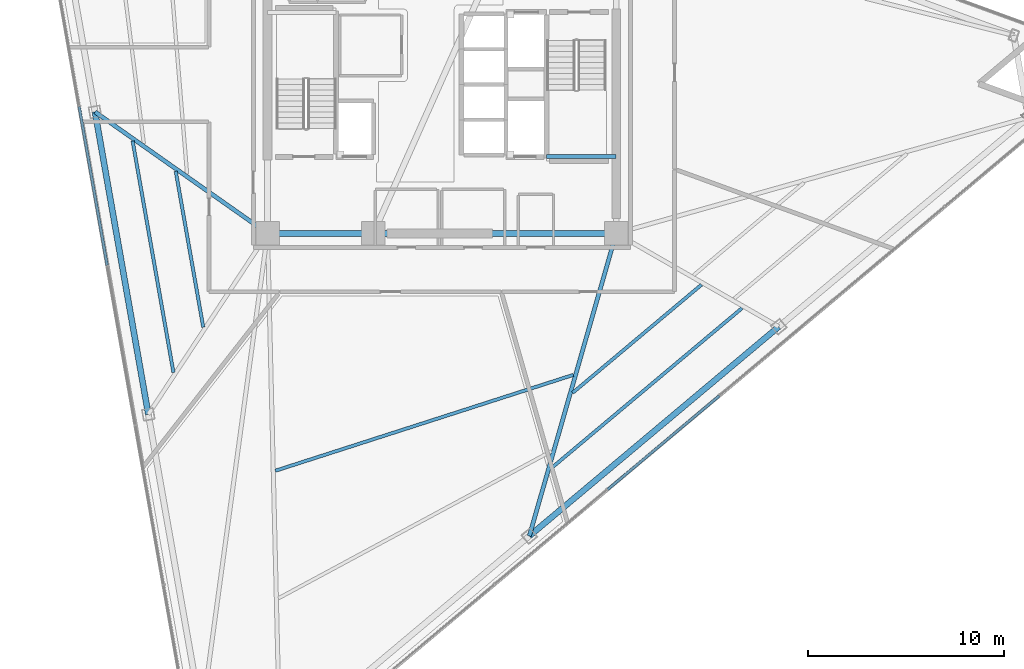
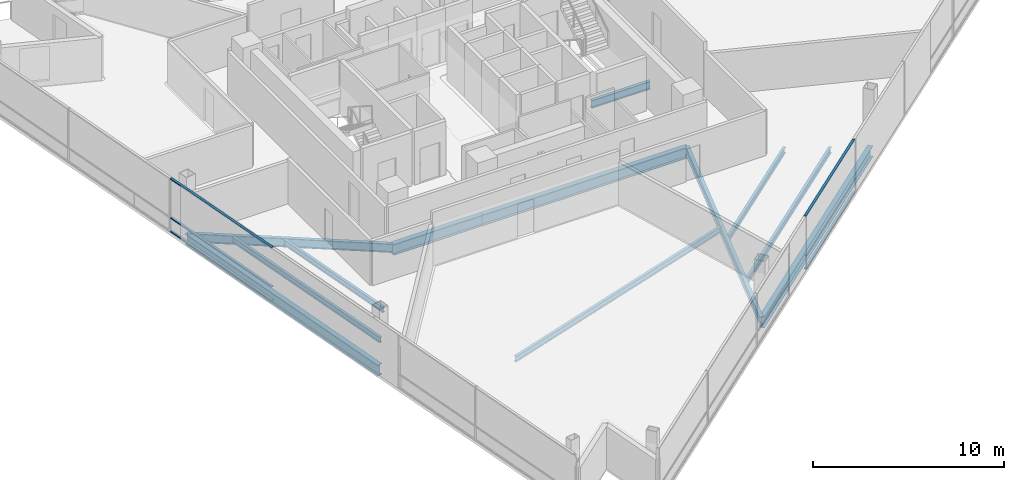
# One storey, part 3 of 16: 12 beams, 6 members, 2 elements without a shape of their own.
"""IFC4 building model written with IfcOpenShell, lengths in metres."""

from ifc_helpers import new_model, si_unit, direction, frame, origin, origin_2d, place, context, subcontext, project, spatial, rectangle, i_section, extrude, material, layer, layer_set, material_profile, profile_set, type_object, element, aggregate, save


model = new_model("IFC4")

# Units and contexts
model_context = context("Model", 3, precision=1e-05, world=origin(), true_north=direction((0.0, 1.0)))
body_context = subcontext(model_context, "Body", "Model", "MODEL_VIEW")
ifc_project = project(units=[si_unit("LENGTHUNIT", "METRE"), si_unit("AREAUNIT", "SQUARE_METRE"), si_unit("VOLUMEUNIT", "CUBIC_METRE"), si_unit("PLANEANGLEUNIT", "RADIAN"), si_unit("MASSUNIT", "GRAM", prefix="KILO")], contexts=[model_context])

# Site, building, storey
site_placement = place(None, origin())
site = spatial("IfcSite", under=ifc_project, at=site_placement, CompositionType="ELEMENT")
building_placement = place(site_placement, origin())
building = spatial("IfcBuilding", under=site, at=building_placement, Name="Tharavind Bronze Gate", CompositionType="ELEMENT")
storey_placement = place(building_placement, frame((0.0, 0.0, 188.5)))
storey = spatial("IfcBuildingStorey", under=building, at=storey_placement, Name="L48", CompositionType="ELEMENT", Elevation=188.5)

# Curtain wall, members
ifc_material_1 = material(Name="Anodised Bronze Aluminium", Category="aluminium")
ifc_layer = layer(ifc_material_1, 0.219970703125)
ifc_layer_set = layer_set([ifc_layer], Name="Anodised Bronze Aluminium")
curtain_wall_type = type_object("IfcCurtainWallType", Name="UNITISED CURTAIN WALL MID OFFICE", PredefinedType="USERDEFINED", material=ifc_layer_set)
curtain_wall_1_placement = place(storey_placement, origin())
curtain_wall_1 = element("IfcCurtainWall", 1, at=curtain_wall_1_placement, inside=storey, type_object=curtain_wall_type, Name="L48 unitised curtain wall mid office CW-L48-S1", ObjectType="UNITISED CURTAIN WALL", PredefinedType="USERDEFINED")
member_type = type_object("IfcMemberType", Name="CURTAIN WALL BRONZE TRANSOM 65X140", PredefinedType="USERDEFINED", material=ifc_material_1)
member_1_placement = place(storey_placement, frame((-17.80517578125, -5.177001953125, 0.0), z_axis=(0.0, 0.0, 1.0), x_axis=(0.173648177667, -0.984807753012, 0.0)))
member_1 = element("IfcMember", 2, at=member_1_placement, type_object=member_type, Name="CW-L48-S1 transom TB3", ObjectType="TRANSOM", PredefinedType="USERDEFINED", context=body_context, shape_type="SweptSolid", body=[
    extrude(rectangle(XDim=8.220458984375, YDim=0.139892578125, at=origin_2d()), origin(), (0.0, 0.0, 1.0), 0.06494140625),
])
member_2_placement = place(storey_placement, frame((-17.80517578125, -5.177001953125, 0.867431640625), z_axis=(0.0, 0.0, 1.0), x_axis=(0.173648177667, -0.984807753012, 0.0)))
member_2 = element("IfcMember", 3, at=member_2_placement, type_object=member_type, Name="CW-L48-S1 transom TS3", ObjectType="TRANSOM", PredefinedType="USERDEFINED", context=body_context, shape_type="SweptSolid", body=[
    extrude(rectangle(XDim=8.220458984375, YDim=0.139892578125, at=origin_2d()), origin(), (0.0, 0.0, 1.0), 0.06494140625),
])
member_3_placement = place(storey_placement, frame((-17.80517578125, -5.177001953125, 3.35498046875), z_axis=(0.0, 0.0, 1.0), x_axis=(0.173648177667, -0.984807753012, 0.0)))
member_3 = element("IfcMember", 4, at=member_3_placement, type_object=member_type, Name="CW-L48-S1 transom TT3", ObjectType="TRANSOM", PredefinedType="USERDEFINED", context=body_context, shape_type="SweptSolid", body=[
    extrude(rectangle(XDim=8.220458984375, YDim=0.139892578125, at=origin_2d()), origin(), (0.0, 0.0, 1.0), 0.06494140625),
])
aggregate(curtain_wall_1, [member_1, member_2, member_3])

curtain_wall_2_placement = place(storey_placement, origin())
curtain_wall_2 = element("IfcCurtainWall", 5, at=curtain_wall_2_placement, inside=storey, type_object=curtain_wall_type, Name="L48 unitised curtain wall mid office CW-L48-S2", ObjectType="UNITISED CURTAIN WALL", PredefinedType="USERDEFINED")
member_4_placement = place(storey_placement, frame((11.31298828125, -18.282470703125, 0.0), z_axis=(0.0, 0.0, 1.0), x_axis=(0.766043321242, 0.642788946685, 0.0)))
member_4 = element("IfcMember", 6, at=member_4_placement, type_object=member_type, Name="CW-L48-S2 transom TB4", ObjectType="TRANSOM", PredefinedType="USERDEFINED", context=body_context, shape_type="SweptSolid", body=[
    extrude(rectangle(XDim=7.443115234375, YDim=0.139892578125, at=origin_2d()), origin(), (0.0, 0.0, 1.0), 0.06494140625),
])
member_5_placement = place(storey_placement, frame((11.31298828125, -18.282470703125, 0.867431640625), z_axis=(0.0, 0.0, 1.0), x_axis=(0.766043321242, 0.642788946685, 0.0)))
member_5 = element("IfcMember", 7, at=member_5_placement, type_object=member_type, Name="CW-L48-S2 transom TS4", ObjectType="TRANSOM", PredefinedType="USERDEFINED", context=body_context, shape_type="SweptSolid", body=[
    extrude(rectangle(XDim=7.443115234375, YDim=0.139892578125, at=origin_2d()), origin(), (0.0, 0.0, 1.0), 0.06494140625),
])
member_6_placement = place(storey_placement, frame((11.31298828125, -18.282470703125, 3.35498046875), z_axis=(0.0, 0.0, 1.0), x_axis=(0.766043321242, 0.642788946685, 0.0)))
member_6 = element("IfcMember", 8, at=member_6_placement, type_object=member_type, Name="CW-L48-S2 transom TT4", ObjectType="TRANSOM", PredefinedType="USERDEFINED", context=body_context, shape_type="SweptSolid", body=[
    extrude(rectangle(XDim=7.443115234375, YDim=0.139892578125, at=origin_2d()), origin(), (0.0, 0.0, 1.0), 0.06494140625),
])
aggregate(curtain_wall_2, [member_4, member_5, member_6])

# Beams
ifc_material_2 = material(Name="Steel S355", Category="steel")
ifc_material_profile_1 = material_profile(ifc_material_2, i_section(OverallWidth=0.199951171875, OverallDepth=0.5, WebThickness=0.01025390625, FlangeThickness=0.01611328125, at=origin_2d()), Name="IPE500")
ifc_profile_set_1 = profile_set([ifc_material_profile_1], Name="Steel S355")
beam_type_1 = type_object("IfcBeamType", Name="PRIMARY GIRDER IPE500", PredefinedType="USERDEFINED", material=ifc_profile_set_1)
beam_1_placement = place(storey_placement, frame((5.35009765625, -3.679931640625, 1.35009765625), z_axis=(1.0, 0.0, 0.0), x_axis=(0.0, 1.0, 0.0)))
element("IfcBeam", 9, at=beam_1_placement, inside=storey, type_object=beam_type_1, Name="L48 primary girder ipe500 BM-LD-ST2-L48-1", ObjectType="GIRDER", PredefinedType="USERDEFINED", context=body_context, shape_type="SweptSolid", body=[
    extrude(i_section(OverallWidth=0.199951171875, OverallDepth=0.5, WebThickness=0.01025390625, FlangeThickness=0.01611328125, at=origin_2d()), origin(), (0.0, 0.0, 1.0), 3.5498046875),
])
ifc_material_profile_2 = material_profile(ifc_material_2, i_section(OverallWidth=0.2099609375, OverallDepth=0.550048828125, WebThickness=0.010986328125, FlangeThickness=0.01708984375, at=origin_2d()), Name="IPE550")
ifc_profile_set_2 = profile_set([ifc_material_profile_2], Name="Steel S355")
beam_type_2 = type_object("IfcBeamType", Name="PRIMARY GIRDER IPE550", PredefinedType="USERDEFINED", material=ifc_profile_set_2)
beam_2_placement = place(storey_placement, frame((-17.709716796875, -1.3994140625, -0.455078125), z_axis=(0.817754667857, -0.575566940675, 0.0), x_axis=(0.575566940675, 0.817754667857, 0.0)))
element("IfcBeam", 10, at=beam_2_placement, inside=storey, type_object=beam_type_2, Name="L48 primary girder ipe550 BM-L48-RAD02", ObjectType="GIRDER", PredefinedType="USERDEFINED", context=body_context, shape_type="SweptSolid", body=[
    extrude(i_section(OverallWidth=0.2099609375, OverallDepth=0.550048828125, WebThickness=0.010986328125, FlangeThickness=0.01708984375, at=origin_2d()), origin(), (0.0, 0.0, 1.0), 10.773193359375),
])
beam_3_placement = place(storey_placement, frame((4.46337890625, -23.05078125, -0.455078125), z_axis=(0.275988621834, 0.961160902564, 0.0), x_axis=(-0.961160902564, 0.275988621834, 0.0)))
element("IfcBeam", 11, at=beam_3_placement, inside=storey, type_object=beam_type_2, Name="L48 primary girder ipe550 BM-L48-RAD06", ObjectType="GIRDER", PredefinedType="USERDEFINED", context=body_context, shape_type="SweptSolid", body=[
    extrude(i_section(OverallWidth=0.2099609375, OverallDepth=0.550048828125, WebThickness=0.010986328125, FlangeThickness=0.01708984375, at=origin_2d()), origin(), (0.0, 0.0, 1.0), 16.074951171875),
])
ifc_material_profile_3 = material_profile(ifc_material_2, i_section(OverallWidth=0.300048828125, OverallDepth=0.699951171875, WebThickness=0.01708984375, FlangeThickness=0.031982421875, at=origin_2d()), Name="HE700B")
ifc_profile_set_3 = profile_set([ifc_material_profile_3], Name="Steel S355")
beam_type_3 = type_object("IfcBeamType", Name="RING GIRDER HE700B", PredefinedType="USERDEFINED", material=ifc_profile_set_3)
beam_4_placement = place(storey_placement, frame((-8.89990234375, -7.60009765625, -0.530029296875), z_axis=(1.0, 0.0, 0.0), x_axis=(0.0, 1.0, 0.0)))
element("IfcBeam", 12, at=beam_4_placement, inside=storey, type_object=beam_type_3, Name="L48 ring girder he700b BM-L48-CR1", ObjectType="GIRDER", PredefinedType="USERDEFINED", context=body_context, shape_type="SweptSolid", body=[
    extrude(i_section(OverallWidth=0.300048828125, OverallDepth=0.699951171875, WebThickness=0.01708984375, FlangeThickness=0.031982421875, at=origin_2d()), origin(), (0.0, 0.0, 1.0), 5.39990234375),
])
beam_5_placement = place(storey_placement, frame((-3.5, -7.60009765625, -0.530029296875), z_axis=(1.0, 0.0, 0.0), x_axis=(0.0, 1.0, 0.0)))
element("IfcBeam", 13, at=beam_5_placement, inside=storey, type_object=beam_type_3, Name="L48 ring girder he700b BM-L48-CR2", ObjectType="GIRDER", PredefinedType="USERDEFINED", context=body_context, shape_type="SweptSolid", body=[
    extrude(i_section(OverallWidth=0.300048828125, OverallDepth=0.699951171875, WebThickness=0.01708984375, FlangeThickness=0.031982421875, at=origin_2d()), origin(), (0.0, 0.0, 1.0), 12.39990234375),
])
beam_6_placement = place(storey_placement, frame((-17.709716796875, -1.3994140625, -0.530029296875), z_axis=(0.173647661488, -0.984807844028, 0.0), x_axis=(0.984807844028, 0.173647661488, 0.0)))
element("IfcBeam", 14, at=beam_6_placement, inside=storey, type_object=beam_type_3, Name="L48 ring girder he700b BM-L48-PRG02", ObjectType="GIRDER", PredefinedType="USERDEFINED", context=body_context, shape_type="SweptSolid", body=[
    extrude(i_section(OverallWidth=0.300048828125, OverallDepth=0.699951171875, WebThickness=0.01708984375, FlangeThickness=0.031982421875, at=origin_2d()), origin(), (0.0, 0.0, 1.0), 15.6806640625),
])
beam_7_placement = place(storey_placement, frame((4.46337890625, -23.05078125, -0.530029296875), z_axis=(0.766044110924, 0.642788005581, 0.0), x_axis=(-0.642788005581, 0.766044110924, 0.0)))
element("IfcBeam", 15, at=beam_7_placement, inside=storey, type_object=beam_type_3, Name="L48 ring girder he700b BM-L48-PRG06", ObjectType="GIRDER", PredefinedType="USERDEFINED", context=body_context, shape_type="SweptSolid", body=[
    extrude(i_section(OverallWidth=0.300048828125, OverallDepth=0.699951171875, WebThickness=0.01708984375, FlangeThickness=0.031982421875, at=origin_2d()), origin(), (0.0, 0.0, 1.0), 16.62451171875),
])
ifc_material_profile_4 = material_profile(ifc_material_2, i_section(OverallWidth=0.169921875, OverallDepth=0.360107421875, WebThickness=0.008056640625, FlangeThickness=0.0126953125, at=origin_2d()), Name="IPE360")
ifc_profile_set_4 = profile_set([ifc_material_profile_4], Name="Steel S355")
beam_type_4 = type_object("IfcBeamType", Name="SECONDARY FLOOR JOIST IPE360", PredefinedType="JOIST", material=ifc_profile_set_4)
beam_8_placement = place(storey_placement, frame((-13.586669921875, -4.43310546875, -0.360107421875), z_axis=(0.173657771601, -0.984806061295, 0.0), x_axis=(0.984806061295, 0.173657771601, 0.0)))
element("IfcBeam", 16, at=beam_8_placement, inside=storey, type_object=beam_type_4, Name="L48 secondary floor joist ipe360 BM-L48-JSTA02", PredefinedType="JOIST", context=body_context, shape_type="SweptSolid", body=[
    extrude(i_section(OverallWidth=0.169921875, OverallDepth=0.360107421875, WebThickness=0.008056640625, FlangeThickness=0.0126953125, at=origin_2d()), origin(), (0.0, 0.0, 1.0), 8.07958984375),
])
beam_9_placement = place(storey_placement, frame((-15.7890625, -2.883056640625, -0.360107421875), z_axis=(0.173653015137, -0.984806900023, 0.0), x_axis=(0.984806900023, 0.173653015137, 0.0)))
element("IfcBeam", 17, at=beam_9_placement, inside=storey, type_object=beam_type_4, Name="L48 secondary floor joist ipe360 BM-L48-JSTB02", PredefinedType="JOIST", context=body_context, shape_type="SweptSolid", body=[
    extrude(i_section(OverallWidth=0.169921875, OverallDepth=0.360107421875, WebThickness=0.008056640625, FlangeThickness=0.0126953125, at=origin_2d()), origin(), (0.0, 0.0, 1.0), 11.99951171875),
])
beam_10_placement = place(storey_placement, frame((-8.5, -19.718994140625, -0.360107421875), z_axis=(0.951947780182, 0.306260385629, 0.0), x_axis=(-0.306260385629, 0.951947780182, 0.0)))
element("IfcBeam", 18, at=beam_10_placement, inside=storey, type_object=beam_type_4, Name="L48 secondary floor joist ipe360 BM-L48-JSTA05", PredefinedType="JOIST", context=body_context, shape_type="SweptSolid", body=[
    extrude(i_section(OverallWidth=0.169921875, OverallDepth=0.360107421875, WebThickness=0.008056640625, FlangeThickness=0.0126953125, at=origin_2d()), origin(), (0.0, 0.0, 1.0), 15.980712890625),
])
beam_11_placement = place(storey_placement, frame((6.67333984375, -15.742919921875, -0.360107421875), z_axis=(0.766044754816, 0.64278723822, 0.0), x_axis=(-0.64278723822, 0.766044754816, 0.0)))
element("IfcBeam", 19, at=beam_11_placement, inside=storey, type_object=beam_type_4, Name="L48 secondary floor joist ipe360 BM-L48-JSTA06", PredefinedType="JOIST", context=body_context, shape_type="SweptSolid", body=[
    extrude(i_section(OverallWidth=0.169921875, OverallDepth=0.360107421875, WebThickness=0.008056640625, FlangeThickness=0.0126953125, at=origin_2d()), origin(), (0.0, 0.0, 1.0), 8.58642578125),
])
beam_12_placement = place(storey_placement, frame((5.564208984375, -19.605712890625, -0.360107421875), z_axis=(0.766041806797, 0.64279075152, 0.0), x_axis=(-0.64279075152, 0.766041806797, 0.0)))
element("IfcBeam", 20, at=beam_12_placement, inside=storey, type_object=beam_type_4, Name="L48 secondary floor joist ipe360 BM-L48-JSTB06", PredefinedType="JOIST", context=body_context, shape_type="SweptSolid", body=[
    extrude(i_section(OverallWidth=0.169921875, OverallDepth=0.360107421875, WebThickness=0.008056640625, FlangeThickness=0.0126953125, at=origin_2d()), origin(), (0.0, 0.0, 1.0), 12.74267578125),
])

save(model, "model.ifc")
